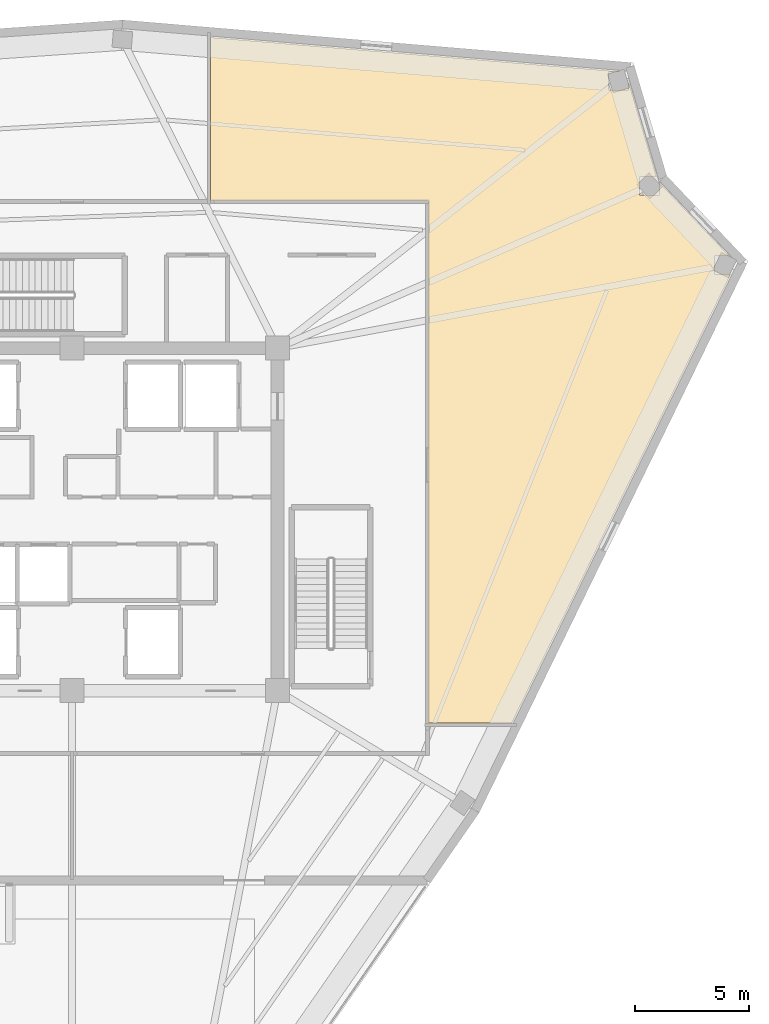
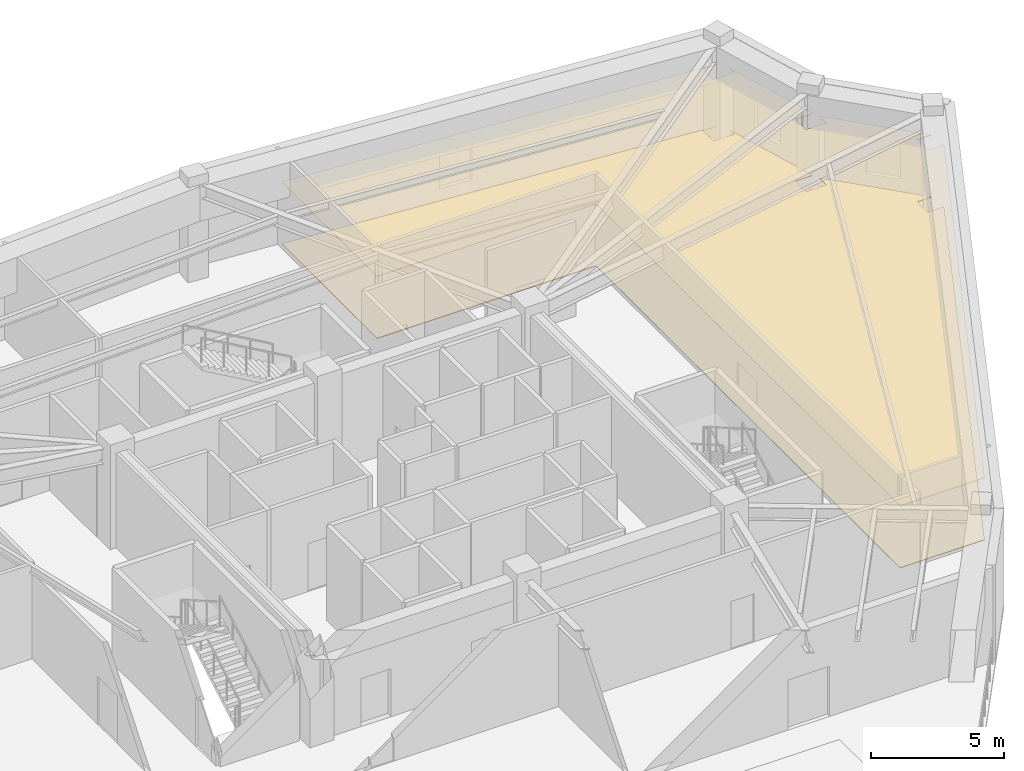
# One storey, part 12 of 12: 2 coverings.
"""IFC4 building model written with IfcOpenShell, lengths in metres."""

from ifc_helpers import new_model, si_unit, direction, frame, origin, place, context, subcontext, project, spatial, polyline, outline, extrude, material, layer, layer_set, type_object, element, save


model = new_model("IFC4")

# Units and contexts
model_context = context("Model", 3, precision=1e-05, world=origin(), true_north=direction((0.0, 1.0)))
body_context = subcontext(model_context, "Body", "Model", "MODEL_VIEW")
ifc_project = project(units=[si_unit("LENGTHUNIT", "METRE"), si_unit("AREAUNIT", "SQUARE_METRE"), si_unit("VOLUMEUNIT", "CUBIC_METRE"), si_unit("PLANEANGLEUNIT", "RADIAN"), si_unit("MASSUNIT", "GRAM", prefix="KILO")], contexts=[model_context])

# Site, building, storey
site_placement = place(None, origin())
site = spatial("IfcSite", under=ifc_project, at=site_placement, CompositionType="ELEMENT")
building_placement = place(site_placement, origin())
building = spatial("IfcBuilding", under=site, at=building_placement, Name="Liaohun Quay Tower", CompositionType="ELEMENT")
storey_placement = place(building_placement, frame((0.0, 0.0, 355.800048828125)))
storey = spatial("IfcBuildingStorey", under=building, at=storey_placement, Name="L92", CompositionType="ELEMENT", Elevation=355.800048828125)

# Coverings
ifc_material_1 = material(Name="Mineral-fibre acoustic ceiling tile")
ifc_layer_1 = layer(ifc_material_1, 0.02490234375, Name="Mineral-fibre acoustic ceiling tile")
ifc_layer_set_1 = layer_set([ifc_layer_1], Name="Mineral-fibre acoustic ceiling tile")
covering_type_1 = type_object("IfcCoveringType", Name="COV-CEIL-ACT", PredefinedType="CEILING", material=ifc_layer_set_1)
covering_1_placement = place(storey_placement, frame((0.0, 0.0, 2.849853515625)))
element("IfcCovering", 1, at=covering_1_placement, inside=storey, type_object=covering_type_1, Name="L92 Lookout Pavilion Reception Foyer 01 Acoustic Ceiling", PredefinedType="CEILING", context=body_context, shape_type="SweptSolid", body=[
    extrude(outline(polyline([(84.37890625, 73.134033203125), (84.37890625, 72.799072265625), (83.489013671875, 72.799072265625), (83.489013671875, 73.589111328125), (84.125, 73.589111328125), (66.074951171875, 75.10009765625), (66.074951171875, 67.929931640625), (75.580078125, 67.929931640625), (75.580078125, 45.074951171875), (79.25390625, 45.074951171875), (88.846923828125, 64.741943359375), (88.137939453125, 64.741943359375), (88.137939453125, 65.531982421875), (88.77294921875, 65.531982421875), (85.73291015625, 68.72705078125), (85.73291015625, 68.205078125), (84.843017578125, 68.205078125), (84.843017578125, 68.9951171875), (85.59912109375, 68.9951171875), (84.37890625, 73.134033203125)])), origin(), (0.0, 0.0, 1.0), 0.025146484375),
])
ifc_material_2 = material(Name="Honed Liaodong granite floor paving", Category="masonry")
ifc_layer_2 = layer(ifc_material_2, 0.034912109375, Name="Honed Liaodong granite floor paving", Category="masonry")
ifc_layer_set_2 = layer_set([ifc_layer_2], Name="Honed Liaodong granite floor paving")
covering_type_2 = type_object("IfcCoveringType", Name="COV-FLR-STN", PredefinedType="FLOORING", material=ifc_layer_set_2)
covering_2_placement = place(storey_placement, origin())
element("IfcCovering", 2, at=covering_2_placement, inside=storey, type_object=covering_type_2, Name="L92 Lookout Pavilion Reception Foyer 01 Floor Finish", PredefinedType="FLOORING", context=body_context, shape_type="SweptSolid", body=[
    extrude(outline(polyline([(84.37890625, 73.134033203125), (84.37890625, 72.799072265625), (83.489013671875, 72.799072265625), (83.489013671875, 73.589111328125), (84.125, 73.589111328125), (66.074951171875, 75.10009765625), (66.074951171875, 67.929931640625), (75.580078125, 67.929931640625), (75.580078125, 45.074951171875), (79.25390625, 45.074951171875), (88.846923828125, 64.741943359375), (88.137939453125, 64.741943359375), (88.137939453125, 65.531982421875), (88.77294921875, 65.531982421875), (85.73291015625, 68.72705078125), (85.73291015625, 68.205078125), (84.843017578125, 68.205078125), (84.843017578125, 68.9951171875), (85.59912109375, 68.9951171875), (84.37890625, 73.134033203125)])), origin(), (0.0, 0.0, 1.0), 0.034912109375),
])

save(model, "model.ifc")
